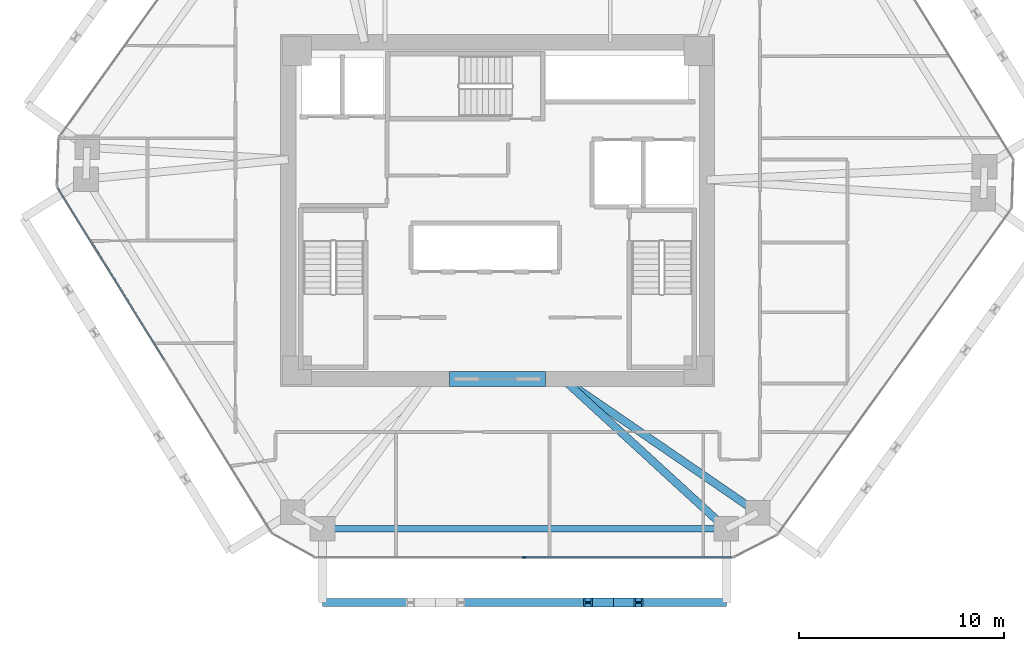
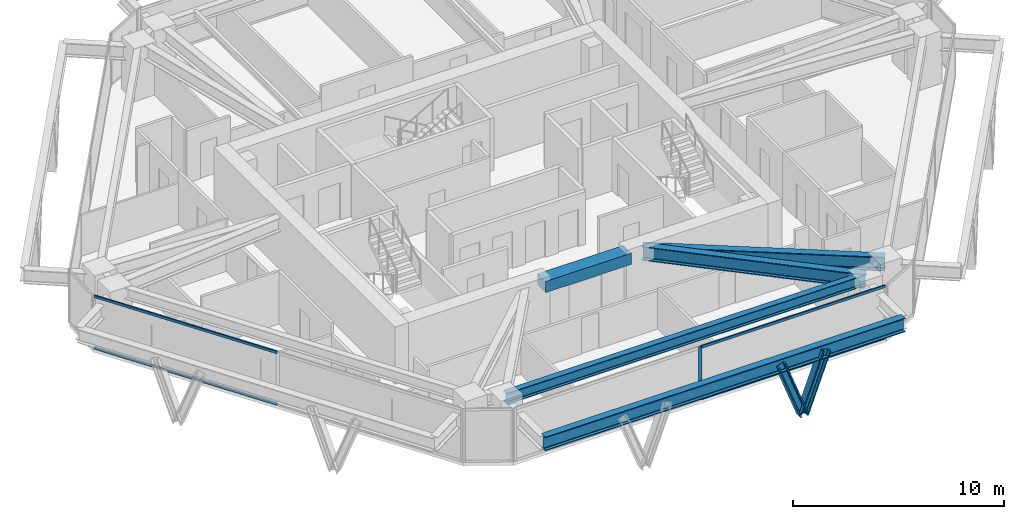
# One storey, part 3 of 14: 7 members, 5 beams, 2 elements without a shape of their own.
"""IFC4 building model written with IfcOpenShell, lengths in metres."""

from ifc_helpers import new_model, si_unit, direction, frame, origin, origin_2d, place, context, subcontext, project, spatial, rectangle, i_section, extrude, source, transform, mapped, material, layer, layer_set, material_profile, profile_set, type_object, type_shapes, element, aggregate, save


model = new_model("IFC4")

# Units and contexts
model_context = context("Model", 3, precision=1e-05, world=origin(), true_north=direction((0.0, 1.0)))
body_context = subcontext(model_context, "Body", "Model", "MODEL_VIEW")
ifc_project = project(units=[si_unit("LENGTHUNIT", "METRE"), si_unit("AREAUNIT", "SQUARE_METRE"), si_unit("VOLUMEUNIT", "CUBIC_METRE"), si_unit("PLANEANGLEUNIT", "RADIAN"), si_unit("MASSUNIT", "GRAM", prefix="KILO")], contexts=[model_context])

# Site, building, storey
site_placement = place(None, origin())
site = spatial("IfcSite", under=ifc_project, at=site_placement, CompositionType="ELEMENT")
building_placement = place(site_placement, origin())
building = spatial("IfcBuilding", under=site, at=building_placement, Name="Durnholm Broadcast Tower", CompositionType="ELEMENT")
storey_placement = place(building_placement, frame((0.0, 0.0, 127.199951171875)))
storey = spatial("IfcBuildingStorey", under=building, at=storey_placement, Name="L34", CompositionType="ELEMENT", Elevation=127.199951171875)

# Beams
ifc_material_1 = material(Name="Concrete C70/85", Category="concrete")
ifc_material_profile_1 = material_profile(ifc_material_1, rectangle(XDim=0.75, YDim=0.64990234375, at=origin_2d()), Name="RC750X650")
ifc_profile_set_1 = profile_set([ifc_material_profile_1], Name="Concrete C70/85")
beam_type_1 = type_object("IfcBeamType", Name="BM-CB-RC650", PredefinedType="LINTEL", material=ifc_profile_set_1)
shared_shape_1 = source(origin(), body_context, "Body", "SweptSolid", [
    extrude(rectangle(XDim=0.75, YDim=0.64990234375, at=origin_2d()), origin(), (0.0, 0.0, 1.0), 4.7001953125),
])
type_shapes(beam_type_1, [shared_shape_1])
beam_1_placement = place(storey_placement, frame((-2.35009765625, -8.22509765625, 2.72998046875), z_axis=(1.0, 0.0, 0.0), x_axis=(0.0, 1.0, 0.0)))
element("IfcBeam", 1, at=beam_1_placement, inside=storey, type_object=beam_type_1, Name="L34 south core coupling lintel beam CB-S", PredefinedType="LINTEL", context=body_context, shape_type="MappedRepresentation", body=[
    mapped(shared_shape_1, transform((0.0, 0.0, 0.0), x_axis=(1.0, 0.0, 0.0), y_axis=(0.0, 1.0, 0.0), z_axis=(0.0, 0.0, 1.0), scale=1.0)),
])
ifc_material_2 = material(Name="Steel ASTM A992 Grade 50", Category="steel")
ifc_material_profile_2 = material_profile(ifc_material_2, i_section(OverallWidth=0.3291015625, OverallDepth=0.635009765625, WebThickness=0.017822265625, FlangeThickness=0.031005859375, FilletRadius=0.02783203125, at=origin_2d()), Name="W24X162")
ifc_profile_set_2 = profile_set([ifc_material_profile_2], Name="Steel ASTM A992 Grade 50")
beam_type_2 = type_object("IfcBeamType", Name="STL-SP-W24X162", PredefinedType="SPANDREL", material=ifc_profile_set_2)
shared_shape_2 = source(origin(), body_context, "Body", "SweptSolid", [
    extrude(i_section(OverallWidth=0.3291015625, OverallDepth=0.635009765625, WebThickness=0.017822265625, FlangeThickness=0.031005859375, FilletRadius=0.02783203125, at=origin_2d()), origin(), (0.0, 0.0, 1.0), 19.72802734375),
])
type_shapes(beam_type_2, [shared_shape_2])
beam_2_placement = place(storey_placement, frame((11.176025390625, -15.537109375, 2.7275390625), z_axis=(-1.0, 0.0, 0.0), x_axis=(0.0, -1.0, 0.0)))
element("IfcBeam", 2, at=beam_2_placement, inside=storey, type_object=beam_type_2, Name="L34 perimeter spandrel girder 11", PredefinedType="SPANDREL", context=body_context, shape_type="MappedRepresentation", body=[
    mapped(shared_shape_2, transform((0.0, 0.0, 0.0), x_axis=(1.0, 0.0, 0.0), y_axis=(0.0, 1.0, 0.0), z_axis=(0.0, 0.0, 1.0), scale=1.0)),
])
ifc_material_profile_3 = material_profile(ifc_material_2, i_section(OverallWidth=0.385009765625, OverallDepth=0.802978515625, WebThickness=0.023681640625, FlangeThickness=0.0419921875, FilletRadius=0.032958984375, at=origin_2d()), Name="W30X261")
ifc_profile_set_3 = profile_set([ifc_material_profile_3], Name="Steel ASTM A992 Grade 50")
beam_type_3 = type_object("IfcBeamType", Name="STL-GR-W30X261", PredefinedType="USERDEFINED", material=ifc_profile_set_3)
shared_shape_3 = source(origin(), body_context, "Body", "SweptSolid", [
    extrude(i_section(OverallWidth=0.385009765625, OverallDepth=0.802978515625, WebThickness=0.023681640625, FlangeThickness=0.0419921875, FilletRadius=0.032958984375, at=origin_2d()), origin(), (0.0, 0.0, 1.0), 11.533447265625),
])
beam_3_placement = place(storey_placement, frame((3.199951171875, -8.22509765625, 2.6435546875), z_axis=(0.824567182461, -0.565764051181, 0.0), x_axis=(0.565764051181, 0.824567182461, 0.0)))
element("IfcBeam", 3, at=beam_3_placement, inside=storey, type_object=beam_type_3, Name="L34 radial primary floor girder 10", ObjectType="GIRDER", PredefinedType="USERDEFINED", context=body_context, shape_type="MappedRepresentation", body=[
    mapped(shared_shape_3, transform((0.0, 0.0, 0.0), x_axis=(1.0, 0.0, 0.0), y_axis=(0.0, 1.0, 0.0), z_axis=(0.0, 0.0, 1.0), scale=1.0)),
])
shared_shape_4 = source(origin(), body_context, "Body", "SweptSolid", [
    extrude(i_section(OverallWidth=0.385009765625, OverallDepth=0.802978515625, WebThickness=0.023681640625, FlangeThickness=0.0419921875, FilletRadius=0.032958984375, at=origin_2d()), origin(), (0.0, 0.0, 1.0), 10.820556640625),
])
type_shapes(beam_type_3, [shared_shape_3, shared_shape_4])
beam_4_placement = place(storey_placement, frame((3.199951171875, -8.22509765625, 2.6435546875), z_axis=(0.737126042516, -0.675755279258, 0.0), x_axis=(0.675755279258, 0.737126042516, 0.0)))
element("IfcBeam", 4, at=beam_4_placement, inside=storey, type_object=beam_type_3, Name="L34 radial primary floor girder 11", ObjectType="GIRDER", PredefinedType="USERDEFINED", context=body_context, shape_type="MappedRepresentation", body=[
    mapped(shared_shape_4, transform((0.0, 0.0, 0.0), x_axis=(1.0, 0.0, 0.0), y_axis=(0.0, 1.0, 0.0), z_axis=(0.0, 0.0, 1.0), scale=1.0)),
])
ifc_material_profile_4 = material_profile(ifc_material_2, i_section(OverallWidth=0.385009765625, OverallDepth=0.802978515625, WebThickness=0.023681640625, FlangeThickness=0.0419921875, FilletRadius=0.032958984375, at=origin_2d()), Name="W30X261")
ifc_profile_set_4 = profile_set([ifc_material_profile_4], Name="Steel ASTM A992 Grade 50")
beam_type_4 = type_object("IfcBeamType", Name="BM-EXO-TIE", PredefinedType="USERDEFINED", material=ifc_profile_set_4)
shared_shape_5 = source(origin(), body_context, "Body", "SweptSolid", [
    extrude(i_section(OverallWidth=0.385009765625, OverallDepth=0.802978515625, WebThickness=0.023681640625, FlangeThickness=0.0419921875, FilletRadius=0.032958984375, at=origin_2d()), origin(), (0.0, 0.0, 1.0), 19.72802734375),
])
type_shapes(beam_type_4, [shared_shape_5])
beam_5_placement = place(storey_placement, frame((-8.552001953125, -19.136962890625, 2.30859375), z_axis=(1.0, 0.0, 0.0), x_axis=(0.0, 1.0, 0.0)))
element("IfcBeam", 5, at=beam_5_placement, inside=storey, type_object=beam_type_4, Name="L34 exoskeleton collector spandrel F1", PredefinedType="SPANDREL", context=body_context, shape_type="MappedRepresentation", body=[
    mapped(shared_shape_5, transform((0.0, 0.0, 0.0), x_axis=(1.0, 0.0, 0.0), y_axis=(0.0, 1.0, 0.0), z_axis=(0.0, 0.0, 1.0), scale=1.0)),
])

# Members
ifc_material_3 = material(Name="Steel ASTM A913 Grade 65", Category="steel")
ifc_material_profile_5 = material_profile(ifc_material_3, i_section(OverallWidth=0.41845703125, OverallDepth=0.455078125, WebThickness=0.0419921875, FlangeThickness=0.067626953125, FilletRadius=0.030517578125, at=origin_2d()), Name="W14X370")
ifc_profile_set_5 = profile_set([ifc_material_profile_5], Name="Steel ASTM A913 Grade 65")
member_type_1 = type_object("IfcMemberType", Name="STL-DG-W14X370", PredefinedType="BRACE", material=ifc_profile_set_5)
shared_shape_6 = source(origin(), body_context, "Body", "SweptSolid", [
    extrude(i_section(OverallWidth=0.41845703125, OverallDepth=0.455078125, WebThickness=0.0419921875, FlangeThickness=0.067626953125, FilletRadius=0.030517578125, at=origin_2d()), origin(), (0.0, 0.0, 1.0), 3.523193359375),
])
type_shapes(member_type_1, [shared_shape_6])
for number, where, z_axis, x_axis, name in (
    (6, (5.65234375, -19.136962890625, -0.991455078125), (-0.350219588454, 0.0, 0.936667625075), (0.0, -1.0, 0.0), "L34 stand-off diagrid brace F1.D2.1"),
    (7, (5.65234375, -19.136962890625, -0.991455078125), (0.350158790071, 0.0, 0.936690355313), (0.0, 1.0, 0.0), "L34 stand-off diagrid brace F1.D2.2"),
):
    element("IfcMember", number, at=place(storey_placement, frame(where, z_axis=z_axis, x_axis=x_axis)), inside=storey, type_object=member_type_1, Name=name, PredefinedType="BRACE", context=body_context, shape_type="MappedRepresentation", body=[
        mapped(shared_shape_6, transform((0.0, 0.0, 0.0), x_axis=(1.0, 0.0, 0.0), y_axis=(0.0, 1.0, 0.0), z_axis=(0.0, 0.0, 1.0), scale=1.0)),
    ])

# Curtain wall, members
ifc_material_4 = material(Name="Aluminium and Solar Control IGU", Category="aluminium")
ifc_layer = layer(ifc_material_4, 0.18994140625)
ifc_layer_set = layer_set([ifc_layer], Name="Aluminium and Solar Control IGU")
curtain_wall_type = type_object("IfcCurtainWallType", Name="CW-SYS-3", PredefinedType="NOTDEFINED", material=ifc_layer_set)
curtain_wall_1_placement = place(storey_placement, origin())
curtain_wall_1 = element("IfcCurtainWall", 8, at=curtain_wall_1_placement, inside=storey, type_object=curtain_wall_type, Name="L34 curtain wall CW-Z12-VIS CW-L34-F10", PredefinedType="NOTDEFINED")
ifc_material_5 = material(Name="Aluminium 6063-T6", Category="aluminium")
ifc_material_profile_6 = material_profile(ifc_material_5, rectangle(XDim=0.070068359375, YDim=0.18994140625, at=origin_2d()), Name="CWM70X190")
ifc_profile_set_6 = profile_set([ifc_material_profile_6], Name="Aluminium 6063-T6")
member_type_2 = type_object("IfcMemberType", Name="CW-SYS-3-MUL", PredefinedType="MULLION", material=ifc_profile_set_6)
shared_shape_7 = source(origin(), body_context, "Body", "SweptSolid", [
    extrude(rectangle(XDim=0.070068359375, YDim=0.18994140625, at=origin_2d()), origin(), (0.0, 0.0, 1.0), 3.06005859375),
])
type_shapes(member_type_2, [shared_shape_7])
member_1_placement = place(storey_placement, frame((1.299560546875, -16.93701171875, 0.0), z_axis=(0.0, 0.0, 1.0), x_axis=(0.0, -1.0, 0.0)))
member_1 = element("IfcMember", 9, at=member_1_placement, type_object=member_type_2, Name="CW-Z12-VIS mullion 2", PredefinedType="MULLION", context=body_context, shape_type="MappedRepresentation", body=[
    mapped(shared_shape_7, transform((0.0, 0.0, 0.0), x_axis=(1.0, 0.0, 0.0), y_axis=(0.0, 1.0, 0.0), z_axis=(0.0, 0.0, 1.0), scale=1.0)),
])
ifc_material_profile_7 = material_profile(ifc_material_5, rectangle(XDim=0.070068359375, YDim=0.14990234375, at=origin_2d()), Name="CWT70X150")
ifc_profile_set_7 = profile_set([ifc_material_profile_7], Name="Aluminium 6063-T6")
member_type_3 = type_object("IfcMemberType", Name="CW-SYS-3-TRN", PredefinedType="USERDEFINED", material=ifc_profile_set_7)
shared_shape_8 = source(origin(), body_context, "Body", "SweptSolid", [
    extrude(rectangle(XDim=0.070068359375, YDim=0.14990234375, at=origin_2d()), origin(), (0.0, 0.0, 1.0), 10.109619140625),
])
member_2_placement = place(storey_placement, frame((11.444091796875, -16.93701171875, 0.03515625), z_axis=(-1.0, 0.0, 0.0), x_axis=(0.0, -1.0, 0.0)))
member_2 = element("IfcMember", 10, at=member_2_placement, type_object=member_type_3, Name="CW-Z12-VIS transom 1.1", ObjectType="TRANSOM", PredefinedType="USERDEFINED", context=body_context, shape_type="MappedRepresentation", body=[
    mapped(shared_shape_8, transform((0.0, 0.0, 0.0), x_axis=(1.0, 0.0, 0.0), y_axis=(0.0, 1.0, 0.0), z_axis=(0.0, 0.0, 1.0), scale=1.0)),
])
member_3_placement = place(storey_placement, frame((11.444091796875, -16.93701171875, 3.025146484375), z_axis=(-1.0, 0.0, 0.0), x_axis=(0.0, -1.0, 0.0)))
member_3 = element("IfcMember", 11, at=member_3_placement, type_object=member_type_3, Name="CW-Z12-VIS transom 1.2", ObjectType="TRANSOM", PredefinedType="USERDEFINED", context=body_context, shape_type="MappedRepresentation", body=[
    mapped(shared_shape_8, transform((0.0, 0.0, 0.0), x_axis=(1.0, 0.0, 0.0), y_axis=(0.0, 1.0, 0.0), z_axis=(0.0, 0.0, 1.0), scale=1.0)),
])
aggregate(curtain_wall_1, [member_1, member_2, member_3])

curtain_wall_2_placement = place(storey_placement, origin())
curtain_wall_2 = element("IfcCurtainWall", 12, at=curtain_wall_2_placement, inside=storey, type_object=curtain_wall_type, Name="L34 curtain wall CW-Z12-VIS CW-L34-F12", PredefinedType="NOTDEFINED")
shared_shape_9 = source(origin(), body_context, "Body", "SweptSolid", [
    extrude(rectangle(XDim=0.070068359375, YDim=0.14990234375, at=origin_2d()), origin(), (0.0, 0.0, 1.0), 9.85888671875),
])
type_shapes(member_type_3, [shared_shape_8, shared_shape_9])
member_4_placement = place(storey_placement, frame((-16.28271484375, -7.27294921875, 0.03515625), z_axis=(-0.527119964735, 0.849790881793, 0.0), x_axis=(-0.849790881793, -0.527119964735, 0.0)))
member_4 = element("IfcMember", 13, at=member_4_placement, type_object=member_type_3, Name="CW-Z12-VIS transom 2.1", ObjectType="TRANSOM", PredefinedType="USERDEFINED", context=body_context, shape_type="MappedRepresentation", body=[
    mapped(shared_shape_9, transform((0.0, 0.0, 0.0), x_axis=(1.0, 0.0, 0.0), y_axis=(0.0, 1.0, 0.0), z_axis=(0.0, 0.0, 1.0), scale=1.0)),
])
member_5_placement = place(storey_placement, frame((-16.28271484375, -7.27294921875, 3.025146484375), z_axis=(-0.527119964735, 0.849790881793, 0.0), x_axis=(-0.849790881793, -0.527119964735, 0.0)))
member_5 = element("IfcMember", 14, at=member_5_placement, type_object=member_type_3, Name="CW-Z12-VIS transom 2.2", ObjectType="TRANSOM", PredefinedType="USERDEFINED", context=body_context, shape_type="MappedRepresentation", body=[
    mapped(shared_shape_9, transform((0.0, 0.0, 0.0), x_axis=(1.0, 0.0, 0.0), y_axis=(0.0, 1.0, 0.0), z_axis=(0.0, 0.0, 1.0), scale=1.0)),
])
aggregate(curtain_wall_2, [member_4, member_5])

save(model, "model.ifc")
